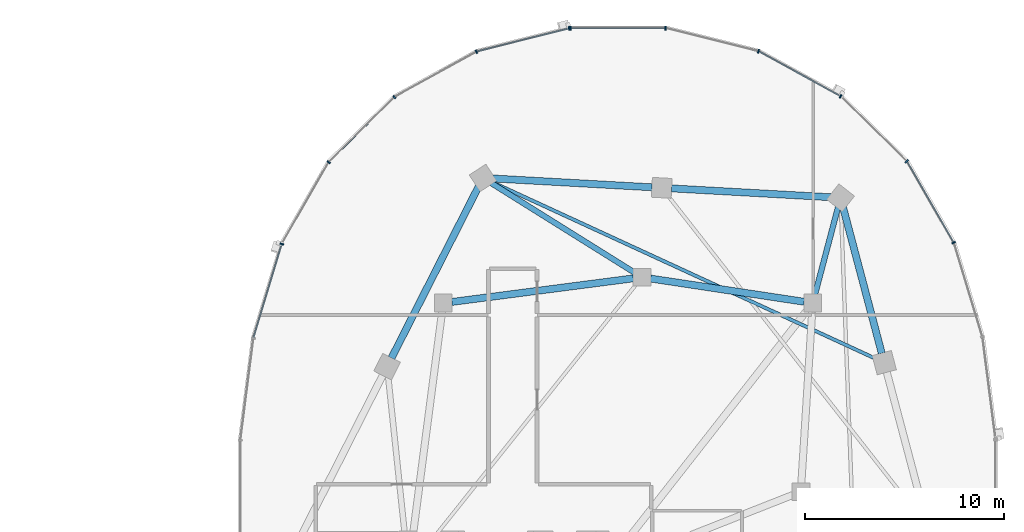
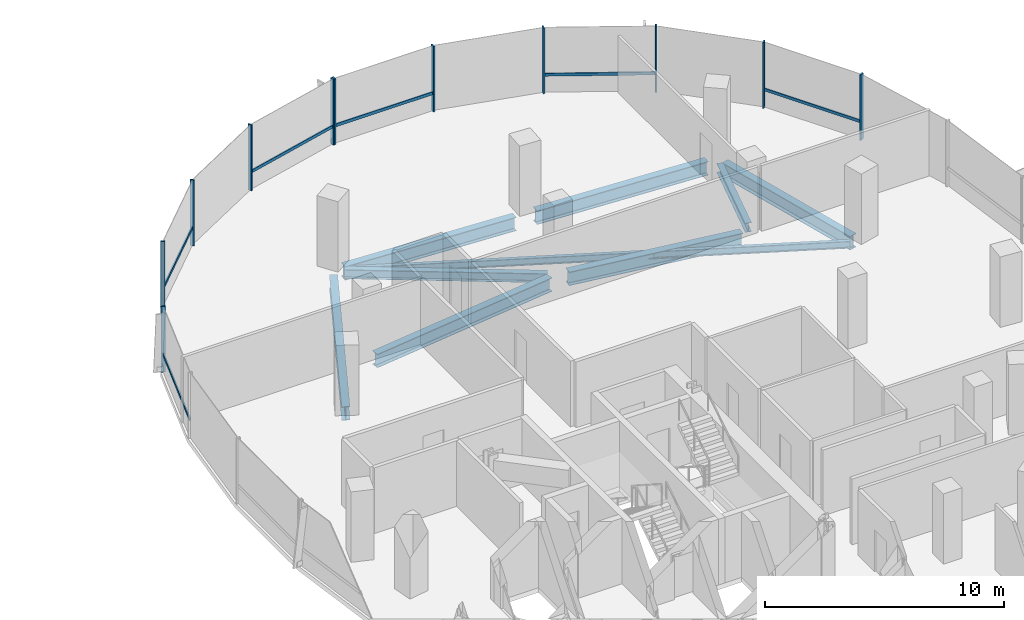
# One storey, part 9 of 22: 17 members, 9 beams, 2 elements without a shape of their own.
"""IFC4 building model written with IfcOpenShell, lengths in metres."""

import ifcopenshell
import ifcopenshell.guid

model = None  # the IFC model being written
_history = None  # IfcOwnerHistory: only IFC2X3 demands one
_inside = {}  # id of a spatial element -> (the spatial element, [elements in it])
_under = {}  # id of a project, library or spatial element -> (it, [spatial elements below it])
_declared = {}  # id of a project -> (the project, [libraries it declares])
_typed = {}  # id of a type object -> (the type object, [elements of that type])
_made_of = {}  # id of a material, layer set ... -> (it, [elements and type objects made of it])


def new_model(schema):
    """Start an empty IFC model of exactly this schema.

    Asked for "IFC4X3", IfcOpenShell would pick the latest addendum, in which some entities
    have other attributes; the version numbers below select the first issue.
    IFC2X3 requires an IfcOwnerHistory on every rooted entity: one is made here for all.
    """
    global model, _history
    if schema == "IFC4X3":
        model = ifcopenshell.file(schema_version=(4, 3, 0, 0))
    else:
        model = ifcopenshell.file(schema=schema)
    _inside.clear()
    _under.clear()
    _declared.clear()
    _typed.clear()
    _made_of.clear()
    _history = None
    if model.schema == "IFC2X3":
        org = make("IfcOrganization", Name="unknown")
        user = make(
            "IfcPersonAndOrganization",
            ThePerson=make("IfcPerson", FamilyName="unknown"),
            TheOrganization=org,
        )
        app = make(
            "IfcApplication",
            ApplicationDeveloper=org,
            Version="unknown",
            ApplicationFullName="unknown",
            ApplicationIdentifier="unknown",
        )
        _history = make(
            "IfcOwnerHistory",
            OwningUser=user,
            OwningApplication=app,
            ChangeAction="ADDED",
            CreationDate=0,
        )
    return model


def make(cls, **values):
    """One entity of the class cls with the attributes given. An attribute that is None is left unset."""
    return model.create_entity(
        cls, **{name: value for name, value in values.items() if value is not None}
    )


def rooted(cls, **values):
    """An entity with a GlobalId (a new one), such as an element, a storey or a relation."""
    return make(cls, GlobalId=ifcopenshell.guid.new(), OwnerHistory=_history, **values)


def si_unit(unit_type, name, prefix=None):
    """IfcSIUnit, for example si_unit("LENGTHUNIT", "METRE", prefix="MILLI")."""
    return make("IfcSIUnit", UnitType=unit_type, Prefix=prefix, Name=name)


def assignment(units):
    """IfcUnitAssignment: the units of a project."""
    return None if units is None else make("IfcUnitAssignment", Units=units)


def point(xyz):
    """IfcCartesianPoint."""
    return None if xyz is None else make("IfcCartesianPoint", Coordinates=xyz)


def direction(xyz):
    """IfcDirection."""
    return None if xyz is None else make("IfcDirection", DirectionRatios=xyz)


def frame(location, z_axis=None, x_axis=None):
    """IfcAxis2Placement3D, a coordinate frame: its origin and axes. An axis left out is left unset."""
    return make(
        "IfcAxis2Placement3D",
        Location=point(location),
        Axis=direction(z_axis),
        RefDirection=direction(x_axis),
    )


def frame_2d(location, x_axis=None):
    """IfcAxis2Placement2D, a coordinate frame in the plane: its origin and x axis."""
    return make(
        "IfcAxis2Placement2D", Location=point(location), RefDirection=direction(x_axis)
    )


def origin():
    """The frame at (0, 0, 0) with its axes left unset."""
    return frame((0.0, 0.0, 0.0))


def origin_2d():
    """The frame at (0, 0) in the plane with its x axis left unset."""
    return frame_2d((0.0, 0.0))


def place(relative_to, where):
    """IfcLocalPlacement: puts the frame where relative to a parent placement (None: the world)."""
    return make(
        "IfcLocalPlacement", PlacementRelTo=relative_to, RelativePlacement=where
    )


def context(
    kind, dimensions, precision=None, world=None, true_north=None, identifier=None
):
    """IfcGeometricRepresentationContext, for example the 3D "Model" context."""
    return make(
        "IfcGeometricRepresentationContext",
        ContextIdentifier=identifier,
        ContextType=kind,
        CoordinateSpaceDimension=dimensions,
        Precision=precision,
        WorldCoordinateSystem=world,
        TrueNorth=true_north,
    )


def subcontext(parent, identifier, kind, view, scale=None):
    """IfcGeometricRepresentationSubContext, for example "Body" below "Model"."""
    return make(
        "IfcGeometricRepresentationSubContext",
        ContextIdentifier=identifier,
        ContextType=kind,
        ParentContext=parent,
        TargetScale=scale,
        TargetView=view,
    )


def project(units=None, contexts=None):
    """IfcProject with its units and contexts."""
    return rooted(
        "IfcProject",
        Name="project",
        RepresentationContexts=contexts,
        UnitsInContext=assignment(units),
    )


def spatial(cls, under=None, at=None, **own):
    """A site, building, storey or space (cls), placed at a placement, below another one or the project."""
    s = rooted(cls, ObjectPlacement=at, **own)
    if under is not None:
        _under.setdefault(under.id(), (under, []))[1].append(s)
    return s


def profile(cls, at=None, kind="AREA", **sizes):
    """A parametric profile (cls). Its sizes go by their IFC names, for example OverallWidth=200.0."""
    return make(cls, ProfileType=kind, Position=at, **sizes)


def rectangle(**sizes):
    """IfcRectangleProfileDef."""
    return profile("IfcRectangleProfileDef", **sizes)


def i_section(**sizes):
    """IfcIShapeProfileDef."""
    return profile("IfcIShapeProfileDef", **sizes)


def extrude(swept, where, along, depth):
    """IfcExtrudedAreaSolid: the profile swept, set in the frame where, extruded along a direction by depth."""
    return make(
        "IfcExtrudedAreaSolid",
        SweptArea=swept,
        Position=where,
        ExtrudedDirection=direction(along),
        Depth=depth,
    )


def shape(context_of_items, identifier, shape_type, items):
    """IfcShapeRepresentation: the items that make up one representation, for example the "Body"."""
    return make(
        "IfcShapeRepresentation",
        ContextOfItems=context_of_items,
        RepresentationIdentifier=identifier,
        RepresentationType=shape_type,
        Items=items,
    )


def material(Name=None, Category=None):
    """IfcMaterial."""
    return make("IfcMaterial", Name=Name, Category=Category)


def material_profile(
    of_material, cross_section, Name=None, Category=None, Priority=None
):
    """IfcMaterialProfile: a cross section and its material."""
    return make(
        "IfcMaterialProfile",
        Name=Name,
        Material=of_material,
        Profile=cross_section,
        Priority=Priority,
        Category=Category,
    )


def profile_set(profiles, Name=None, composite=None):
    """IfcMaterialProfileSet."""
    return make(
        "IfcMaterialProfileSet",
        Name=Name,
        MaterialProfiles=profiles,
        CompositeProfile=composite,
    )


def made_of(thing, what):
    """Note that an element or type object is made of a material, layer set ...; save() writes the relation."""
    if what is not None:
        _made_of.setdefault(what.id(), (what, []))[1].append(thing)
    return thing


def type_object(cls, material=None, **own):
    """A type object (cls), such as IfcWallType, which elements share."""
    return made_of(rooted(cls, **own), material)


def element(
    cls,
    number,
    at=None,
    inside=None,
    cuts=None,
    type_object=None,
    material=None,
    context=None,
    identifier="Body",
    shape_type=None,
    held_by="IfcProductDefinitionShape",
    body=None,
    shapes=None,
    **own,
):
    """One element of the class cls, such as IfcWall. Its Tag is "e" and its number.

    at: its placement. inside: the storey or other place that contains it. cuts: it is an
    opening in that element (IfcRelVoidsElement). A single representation is given by context,
    identifier, shape_type and body (its items); several are given by shapes. held_by: the class
    of the entity that holds the representations. save() writes the other relations.
    """
    e = rooted(cls, Tag="e%d" % number, ObjectPlacement=at, **own)
    if body is not None:
        shapes = [shape(context, identifier, shape_type, body)]
    if shapes is not None:
        e.Representation = make(held_by, Representations=shapes)
    if inside is not None:
        _inside.setdefault(inside.id(), (inside, []))[1].append(e)
    if cuts is not None:
        rooted(
            "IfcRelVoidsElement", RelatingBuildingElement=cuts, RelatedOpeningElement=e
        )
    if type_object is not None:
        _typed.setdefault(type_object.id(), (type_object, []))[1].append(e)
    return made_of(e, material)


def aggregate(whole, parts):
    """IfcRelAggregates: a whole, such as a stair, and the parts it consists of."""
    return rooted("IfcRelAggregates", RelatingObject=whole, RelatedObjects=parts)


def save(model, path):
    """Write the relations noted so far, then the file.

    IfcRelAggregates (storeys below a building ...), IfcRelContainedInSpatialStructure (elements
    in a storey), IfcRelDefinesByType, IfcRelAssociatesMaterial and IfcRelDeclares: one each for
    every whole, place, type object, material and project.
    """
    for whole, parts in _under.values():
        aggregate(whole, parts)
    for where, things in _inside.values():
        rooted(
            "IfcRelContainedInSpatialStructure",
            RelatedElements=things,
            RelatingStructure=where,
        )
    for kind, things in _typed.values():
        rooted("IfcRelDefinesByType", RelatedObjects=things, RelatingType=kind)
    for what, things in _made_of.values():
        rooted("IfcRelAssociatesMaterial", RelatedObjects=things, RelatingMaterial=what)
    for by, libraries in _declared.values():
        rooted("IfcRelDeclares", RelatingContext=by, RelatedDefinitions=libraries)
    model.write(path)


model = new_model("IFC4")

# Units and contexts
model_context = context("Model", 3, precision=1e-05, world=origin(), true_north=direction((0.0, 1.0)))
body_context = subcontext(model_context, "Body", "Model", "MODEL_VIEW")
ifc_project = project(units=[si_unit("LENGTHUNIT", "METRE"), si_unit("AREAUNIT", "SQUARE_METRE"), si_unit("VOLUMEUNIT", "CUBIC_METRE"), si_unit("PLANEANGLEUNIT", "RADIAN"), si_unit("MASSUNIT", "GRAM", prefix="KILO"), si_unit("THERMODYNAMICTEMPERATUREUNIT", "KELVIN"), si_unit("POWERUNIT", "WATT")], contexts=[model_context])

# Site, building, storey
site_placement = place(None, origin())
site = spatial("IfcSite", under=ifc_project, at=site_placement, CompositionType="ELEMENT")
building_placement = place(site_placement, origin())
building = spatial("IfcBuilding", under=site, at=building_placement, Name="Cundina Bronze Exchange", CompositionType="ELEMENT")
storey_placement = place(building_placement, frame((0.0, 0.0, 162.0)))
storey = spatial("IfcBuildingStorey", under=building, at=storey_placement, Name="L42", CompositionType="ELEMENT", Elevation=162.0)

# Beams
ifc_material_1 = material(Name="Steel ASTM A992 Grade 50", Category="steel")
ifc_material_profile_1 = material_profile(ifc_material_1, i_section(OverallWidth=0.280029296875, OverallDepth=0.462890625, WebThickness=0.0107421875, FlangeThickness=0.017333984375, FilletRadius=0.011962890625, at=origin_2d()), Name="W18X76", Category="steel")
ifc_profile_set_1 = profile_set([ifc_material_profile_1], Name="Steel ASTM A992 Grade 50")
beam_type_1 = type_object("IfcBeamType", Name="BM-FLR-W18A", PredefinedType="BEAM", material=ifc_profile_set_1)
beam_1_placement = place(storey_placement, frame((41.911865234375, 9.923583984375, -0.471435546875), z_axis=(0.255413807463, 0.966831829719, 0.0), x_axis=(-0.966831829719, 0.255413807463, 0.0)))
element("IfcBeam", 1, at=beam_1_placement, inside=storey, type_object=beam_type_1, Name="L42 Leg E Chordal Floor Beam 10", PredefinedType="BEAM", context=body_context, shape_type="SweptSolid", body=[
    extrude(i_section(OverallWidth=0.280029296875, OverallDepth=0.462890625, WebThickness=0.0107421875, FlangeThickness=0.017333984375, FilletRadius=0.011962890625, at=origin_2d()), origin(), (0.0, 0.0, 1.0), 4.5556640625),
])
beam_2_placement = place(storey_placement, frame((32.82861328125, 11.031982421875, -0.471435546875), z_axis=(-0.847985407265, 0.530019574228, 0.0), x_axis=(-0.530019574228, -0.847985407265, 0.0)))
element("IfcBeam", 2, at=beam_2_placement, inside=storey, type_object=beam_type_1, Name="L42 Leg E Chordal Floor Beam 12", PredefinedType="BEAM", context=body_context, shape_type="SweptSolid", body=[
    extrude(i_section(OverallWidth=0.280029296875, OverallDepth=0.462890625, WebThickness=0.0107421875, FlangeThickness=0.017333984375, FilletRadius=0.011962890625, at=origin_2d()), origin(), (0.0, 0.0, 1.0), 8.50830078125),
])
ifc_material_profile_2 = material_profile(ifc_material_1, i_section(OverallWidth=0.172119140625, OverallDepth=0.35791015625, WebThickness=0.0078125, FlangeThickness=0.01318359375, FilletRadius=0.010009765625, at=origin_2d()), Name="W14X38", Category="steel")
ifc_profile_set_2 = profile_set([ifc_material_profile_2], Name="Steel ASTM A992 Grade 50")
beam_type_2 = type_object("IfcBeamType", Name="BM-JST-W14", PredefinedType="JOIST", material=ifc_profile_set_2)
beam_3_placement = place(storey_placement, frame((44.956787109375, 6.7041015625, -0.4189453125), z_axis=(-0.908353865734, 0.418202408655, 0.0), x_axis=(-0.418202408655, -0.908353865734, 0.0)))
element("IfcBeam", 3, at=beam_3_placement, inside=storey, type_object=beam_type_2, Name="L42 Leg E Lobe Floor Joist 09-12", PredefinedType="JOIST", context=body_context, shape_type="SweptSolid", body=[
    extrude(i_section(OverallWidth=0.172119140625, OverallDepth=0.35791015625, WebThickness=0.0078125, FlangeThickness=0.01318359375, FilletRadius=0.010009765625, at=origin_2d()), origin(), (0.0, 0.0, 1.0), 21.261962890625),
])
ifc_material_profile_3 = material_profile(ifc_material_1, i_section(OverallWidth=0.35498046875, OverallDepth=0.695068359375, WebThickness=0.015380859375, FlangeThickness=0.02490234375, FilletRadius=0.01806640625, at=origin_2d()), Name="W27X146", Category="steel")
ifc_profile_set_3 = profile_set([ifc_material_profile_3], Name="Steel ASTM A992 Grade 50")
beam_type_3 = type_object("IfcBeamType", Name="BM-RING-W27", PredefinedType="USERDEFINED", material=ifc_profile_set_3)
beam_4_placement = place(storey_placement, frame((41.366943359375, 9.5654296875, -0.58740234375), z_axis=(-0.988764903598, 0.149478979839, 0.0), x_axis=(-0.149478979839, -0.988764903598, 0.0)))
element("IfcBeam", 4, at=beam_4_placement, inside=storey, type_object=beam_type_3, Name="L42 E Inner Structural Ring Girder 05", ObjectType="GIRDER", PredefinedType="USERDEFINED", context=body_context, shape_type="SweptSolid", body=[
    extrude(i_section(OverallWidth=0.35498046875, OverallDepth=0.695068359375, WebThickness=0.015380859375, FlangeThickness=0.02490234375, FilletRadius=0.01806640625, at=origin_2d()), origin(), (0.0, 0.0, 1.0), 7.82177734375),
])
beam_5_placement = place(storey_placement, frame((32.765625, 10.743408203125, -0.58740234375), z_axis=(-0.991656498582, -0.128908451316, 0.0), x_axis=(0.128908451316, -0.991656498582, 0.0)))
element("IfcBeam", 5, at=beam_5_placement, inside=storey, type_object=beam_type_3, Name="L42 E Inner Structural Ring Girder 06", ObjectType="GIRDER", PredefinedType="USERDEFINED", context=body_context, shape_type="SweptSolid", body=[
    extrude(i_section(OverallWidth=0.35498046875, OverallDepth=0.695068359375, WebThickness=0.015380859375, FlangeThickness=0.02490234375, FilletRadius=0.01806640625, at=origin_2d()), origin(), (0.0, 0.0, 1.0), 9.208251953125),
])
beam_6_placement = place(storey_placement, frame((45.27490234375, 6.9716796875, -0.58740234375), z_axis=(-0.256210841755, 0.96662092082, 0.0), x_axis=(-0.96662092082, -0.256210841755, 0.0)))
element("IfcBeam", 6, at=beam_6_placement, inside=storey, type_object=beam_type_3, Name="L42 E Perimeter Ring Girder 09", ObjectType="GIRDER", PredefinedType="USERDEFINED", context=body_context, shape_type="SweptSolid", body=[
    extrude(i_section(OverallWidth=0.35498046875, OverallDepth=0.695068359375, WebThickness=0.015380859375, FlangeThickness=0.02490234375, FilletRadius=0.01806640625, at=origin_2d()), origin(), (0.0, 0.0, 1.0), 7.61083984375),
])
for number, where, z_axis, x_axis, name in (
    (7, (42.712890625, 14.8271484375, -0.58740234375), (-0.998460820451, 0.055461608559, 0.0), (-0.055461608559, -0.998460820451, 0.0), "L42 E Perimeter Ring Girder 10"),
    (8, (33.712890625, 15.3271484375, -0.58740234375), (-0.998460820451, 0.055461608559, 0.0), (-0.055461608559, -0.998460820451, 0.0), "L42 E Perimeter Ring Girder 11"),
):
    element("IfcBeam", number, at=place(storey_placement, frame(where, z_axis=z_axis, x_axis=x_axis)), inside=storey, type_object=beam_type_3, Name=name, ObjectType="GIRDER", PredefinedType="USERDEFINED", context=body_context, shape_type="SweptSolid", body=[
        extrude(i_section(OverallWidth=0.35498046875, OverallDepth=0.695068359375, WebThickness=0.015380859375, FlangeThickness=0.02490234375, FilletRadius=0.01806640625, at=origin_2d()), origin(), (0.0, 0.0, 1.0), 8.0380859375),
    ])
beam_7_placement = place(storey_placement, frame((24.97900390625, 15.364990234375, -0.58740234375), z_axis=(-0.452834585354, -0.891594548159, 0.0), x_axis=(0.891594548159, -0.452834585354, 0.0)))
element("IfcBeam", 9, at=beam_7_placement, inside=storey, type_object=beam_type_3, Name="L42 E Perimeter Ring Girder 12", ObjectType="GIRDER", PredefinedType="USERDEFINED", context=body_context, shape_type="SweptSolid", body=[
    extrude(i_section(OverallWidth=0.35498046875, OverallDepth=0.695068359375, WebThickness=0.015380859375, FlangeThickness=0.02490234375, FilletRadius=0.01806640625, at=origin_2d()), origin(), (0.0, 0.0, 1.0), 9.67919921875),
])

# Curtain wall, members
ifc_material_2 = material(Name="Anodised Bronze Aluminium 6063-T6", Category="aluminium")
curtain_wall_type = type_object("IfcCurtainWallType", Name="CWS-WST-PIN", PredefinedType="NOTDEFINED", material=ifc_material_2)
curtain_wall_1_placement = place(storey_placement, origin())
curtain_wall_1 = element("IfcCurtainWall", 10, at=curtain_wall_1_placement, inside=storey, type_object=curtain_wall_type, Name="L42 CW-04 Curtain Wall Run CWR-L42-E1", PredefinedType="NOTDEFINED")
ifc_material_profile_4 = material_profile(ifc_material_2, rectangle(XDim=0.070068359375, YDim=0.18994140625, at=origin_2d()), Name="AL70X190", Category="aluminium")
ifc_profile_set_4 = profile_set([ifc_material_profile_4], Name="Anodised Bronze Aluminium 6063-T6")
member_type_1 = type_object("IfcMemberType", Name="CWM-MUL-190", PredefinedType="MULLION", material=ifc_profile_set_4)
member_1_placement = place(storey_placement, frame((48.89794921875, 12.541259765625, 0.0), z_axis=(0.0, 0.0, 1.0), x_axis=(-0.498487739754, 0.866896748936, 0.0)))
member_1 = element("IfcMember", 11, at=member_1_placement, type_object=member_type_1, Name="CW-04 Mullion 3", PredefinedType="MULLION", context=body_context, shape_type="SweptSolid", body=[
    extrude(rectangle(XDim=0.070068359375, YDim=0.18994140625, at=origin_2d()), origin(), (0.0, 0.0, 1.0), 3.360107421875),
])
member_2_placement = place(storey_placement, frame((46.530517578125, 16.640380859375, 0.0), z_axis=(0.0, 0.0, 1.0), x_axis=(-0.712026045991, 0.702153052995, 0.0)))
member_2 = element("IfcMember", 12, at=member_2_placement, type_object=member_type_1, Name="CW-04 Mullion 4", PredefinedType="MULLION", context=body_context, shape_type="SweptSolid", body=[
    extrude(rectangle(XDim=0.070068359375, YDim=0.18994140625, at=origin_2d()), origin(), (0.0, 0.0, 1.0), 3.360107421875),
])
member_3_placement = place(storey_placement, frame((43.20654296875, 19.906005859375, 0.0), z_axis=(0.0, 0.0, 1.0), x_axis=(-0.875885937035, 0.482518212408, 0.0)))
member_3 = element("IfcMember", 13, at=member_3_placement, type_object=member_type_1, Name="CW-04 Mullion 5", PredefinedType="MULLION", context=body_context, shape_type="SweptSolid", body=[
    extrude(rectangle(XDim=0.070068359375, YDim=0.18994140625, at=origin_2d()), origin(), (0.0, 0.0, 1.0), 3.360107421875),
])
member_4_placement = place(storey_placement, frame((39.067626953125, 22.17626953125, 0.0), z_axis=(0.0, 0.0, 1.0), x_axis=(-0.970084240161, 0.242768546132, 0.0)))
member_4 = element("IfcMember", 14, at=member_4_placement, type_object=member_type_1, Name="CW-04 Mullion 6", PredefinedType="MULLION", context=body_context, shape_type="SweptSolid", body=[
    extrude(rectangle(XDim=0.070068359375, YDim=0.18994140625, at=origin_2d()), origin(), (0.0, 0.0, 1.0), 3.360107421875),
])
member_5_placement = place(storey_placement, frame((34.39404296875, 23.3369140625, 0.0), z_axis=(0.0, 0.0, 1.0), x_axis=(-1.0, 0.0, 0.0)))
member_5 = element("IfcMember", 15, at=member_5_placement, type_object=member_type_1, Name="CW-04 Mullion 7", PredefinedType="MULLION", context=body_context, shape_type="SweptSolid", body=[
    extrude(rectangle(XDim=0.070068359375, YDim=0.18994140625, at=origin_2d()), origin(), (0.0, 0.0, 1.0), 3.360107421875),
])
member_6_placement = place(storey_placement, frame((29.60595703125, 23.3369140625, 0.0), z_axis=(0.0, 0.0, 1.0), x_axis=(-1.0, 0.0, 0.0)))
member_6 = element("IfcMember", 16, at=member_6_placement, type_object=member_type_1, Name="CW-04 End Mullion", PredefinedType="MULLION", context=body_context, shape_type="SweptSolid", body=[
    extrude(rectangle(XDim=0.070068359375, YDim=0.18994140625, at=origin_2d()), origin(), (0.0, 0.0, 1.0), 3.360107421875),
])

curtain_wall_2_placement = place(storey_placement, origin())
curtain_wall_2 = element("IfcCurtainWall", 17, at=curtain_wall_2_placement, inside=storey, type_object=curtain_wall_type, Name="L42 CW-04 Curtain Wall Run CWR-L42-E2", PredefinedType="NOTDEFINED")
member_7_placement = place(storey_placement, frame((29.537353515625, 23.32861328125, 0.0), z_axis=(0.0, 0.0, 1.0), x_axis=(-0.970084240161, -0.242768546132, 0.0)))
member_7 = element("IfcMember", 18, at=member_7_placement, type_object=member_type_1, Name="CW-04 Mullion 1", PredefinedType="MULLION", context=body_context, shape_type="SweptSolid", body=[
    extrude(rectangle(XDim=0.070068359375, YDim=0.18994140625, at=origin_2d()), origin(), (0.0, 0.0, 1.0), 3.360107421875),
])
member_8_placement = place(storey_placement, frame((24.86962890625, 22.151611328125, 0.0), z_axis=(0.0, 0.0, 1.0), x_axis=(-0.875885937035, -0.482518212408, 0.0)))
member_8 = element("IfcMember", 19, at=member_8_placement, type_object=member_type_1, Name="CW-04 Mullion 2", PredefinedType="MULLION", context=body_context, shape_type="SweptSolid", body=[
    extrude(rectangle(XDim=0.070068359375, YDim=0.18994140625, at=origin_2d()), origin(), (0.0, 0.0, 1.0), 3.360107421875),
])
member_9_placement = place(storey_placement, frame((20.740966796875, 19.86669921875, 0.0), z_axis=(0.0, 0.0, 1.0), x_axis=(-0.712026045991, -0.702153052995, 0.0)))
member_9 = element("IfcMember", 20, at=member_9_placement, type_object=member_type_1, Name="CW-04 Mullion 3", PredefinedType="MULLION", context=body_context, shape_type="SweptSolid", body=[
    extrude(rectangle(XDim=0.070068359375, YDim=0.18994140625, at=origin_2d()), origin(), (0.0, 0.0, 1.0), 3.360107421875),
])
member_10_placement = place(storey_placement, frame((17.42919921875, 16.588134765625, 0.0), z_axis=(0.0, 0.0, 1.0), x_axis=(-0.498487739754, -0.866896748936, 0.0)))
member_10 = element("IfcMember", 21, at=member_10_placement, type_object=member_type_1, Name="CW-04 Mullion 4", PredefinedType="MULLION", context=body_context, shape_type="SweptSolid", body=[
    extrude(rectangle(XDim=0.070068359375, YDim=0.18994140625, at=origin_2d()), origin(), (0.0, 0.0, 1.0), 3.360107421875),
])
member_11_placement = place(storey_placement, frame((15.07373046875, 12.4755859375, 0.0), z_axis=(0.0, 0.0, 1.0), x_axis=(-0.290034140915, -0.957016299288, 0.0)))
member_11 = element("IfcMember", 22, at=member_11_placement, type_object=member_type_1, Name="CW-04 Mullion 5", PredefinedType="MULLION", context=body_context, shape_type="SweptSolid", body=[
    extrude(rectangle(XDim=0.070068359375, YDim=0.18994140625, at=origin_2d()), origin(), (0.0, 0.0, 1.0), 3.360107421875),
])

# Member
ifc_material_profile_5 = material_profile(ifc_material_2, rectangle(XDim=0.06494140625, YDim=0.14990234375, at=origin_2d()), Name="AL65X150", Category="aluminium")
ifc_profile_set_5 = profile_set([ifc_material_profile_5], Name="Anodised Bronze Aluminium 6063-T6")
member_type_2 = type_object("IfcMemberType", Name="CWM-TRN-150", PredefinedType="USERDEFINED", material=ifc_profile_set_5)
member_12_placement = place(storey_placement, frame((48.878662109375, 12.574462890625, 0.919921875), z_axis=(-0.498479967047, 0.866901218394, 0.0), x_axis=(-0.866901218394, -0.498479967047, 0.0)))
member_12 = element("IfcMember", 23, at=member_12_placement, type_object=member_type_2, Name="CW-04 Spandrel Transom 3", ObjectType="TRANSOM", PredefinedType="USERDEFINED", context=body_context, shape_type="SweptSolid", body=[
    extrude(rectangle(XDim=0.06494140625, YDim=0.14990234375, at=origin_2d()), origin(), (0.0, 0.0, 1.0), 4.66845703125),
])

member_13_placement = place(storey_placement, frame((43.1728515625, 19.924560546875, 0.919921875), z_axis=(-0.875878981549, 0.482530838062, 0.0), x_axis=(-0.482530838062, -0.875878981549, 0.0)))
member_13 = element("IfcMember", 24, at=member_13_placement, type_object=member_type_2, Name="CW-04 Spandrel Transom 5", ObjectType="TRANSOM", PredefinedType="USERDEFINED", context=body_context, shape_type="SweptSolid", body=[
    extrude(rectangle(XDim=0.06494140625, YDim=0.14990234375, at=origin_2d()), origin(), (0.0, 0.0, 1.0), 4.65380859375),
])

member_14_placement = place(storey_placement, frame((34.35546875, 23.3369140625, 0.919921875), z_axis=(-1.0, 0.0, 0.0), x_axis=(0.0, -1.0, 0.0)))
member_14 = element("IfcMember", 25, at=member_14_placement, type_object=member_type_2, Name="CW-04 Spandrel Transom 7", ObjectType="TRANSOM", PredefinedType="USERDEFINED", context=body_context, shape_type="SweptSolid", body=[
    extrude(rectangle(XDim=0.06494140625, YDim=0.14990234375, at=origin_2d()), origin(), (0.0, 0.0, 1.0), 4.7109375),
])

aggregate(curtain_wall_1, [member_1, member_12, member_2, member_3, member_13, member_4, member_5, member_6, member_14])

member_15_placement = place(storey_placement, frame((29.5, 23.319091796875, 0.919921875), z_axis=(-0.970100130035, -0.242705042606, 0.0), x_axis=(0.242705042606, -0.970100130035, 0.0)))
member_15 = element("IfcMember", 26, at=member_15_placement, type_object=member_type_2, Name="CW-04 Spandrel Transom 1", ObjectType="TRANSOM", PredefinedType="USERDEFINED", context=body_context, shape_type="SweptSolid", body=[
    extrude(rectangle(XDim=0.06494140625, YDim=0.14990234375, at=origin_2d()), origin(), (0.0, 0.0, 1.0), 4.746826171875),
])

member_16_placement = place(storey_placement, frame((20.71337890625, 19.839599609375, 0.919921875), z_axis=(-0.712005023839, -0.702174370102, 0.0), x_axis=(0.702174370102, -0.712005023839, 0.0)))
member_16 = element("IfcMember", 27, at=member_16_placement, type_object=member_type_2, Name="CW-04 Spandrel Transom 3", ObjectType="TRANSOM", PredefinedType="USERDEFINED", context=body_context, shape_type="SweptSolid", body=[
    extrude(rectangle(XDim=0.06494140625, YDim=0.14990234375, at=origin_2d()), origin(), (0.0, 0.0, 1.0), 4.594482421875),
])

member_17_placement = place(storey_placement, frame((15.062744140625, 12.43896484375, 0.919921875), z_axis=(-0.290051855969, -0.957010930371, 0.0), x_axis=(0.957010930371, -0.290051855969, 0.0)))
member_17 = element("IfcMember", 28, at=member_17_placement, type_object=member_type_2, Name="CW-04 Spandrel Transom 5", ObjectType="TRANSOM", PredefinedType="USERDEFINED", context=body_context, shape_type="SweptSolid", body=[
    extrude(rectangle(XDim=0.06494140625, YDim=0.14990234375, at=origin_2d()), origin(), (0.0, 0.0, 1.0), 4.876953125),
])

aggregate(curtain_wall_2, [member_7, member_15, member_8, member_9, member_16, member_10, member_11, member_17])

save(model, "model.ifc")
